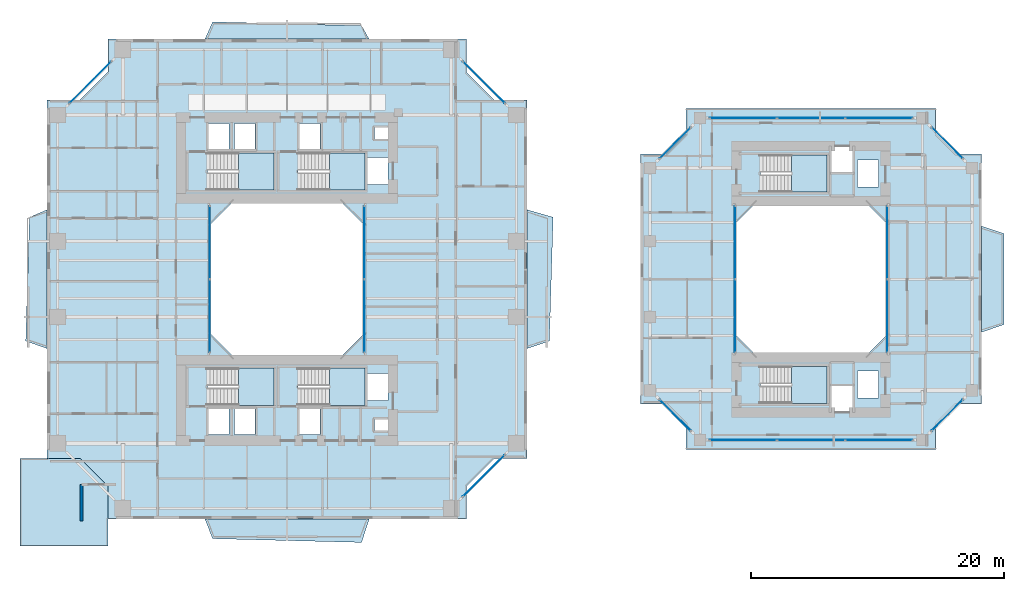
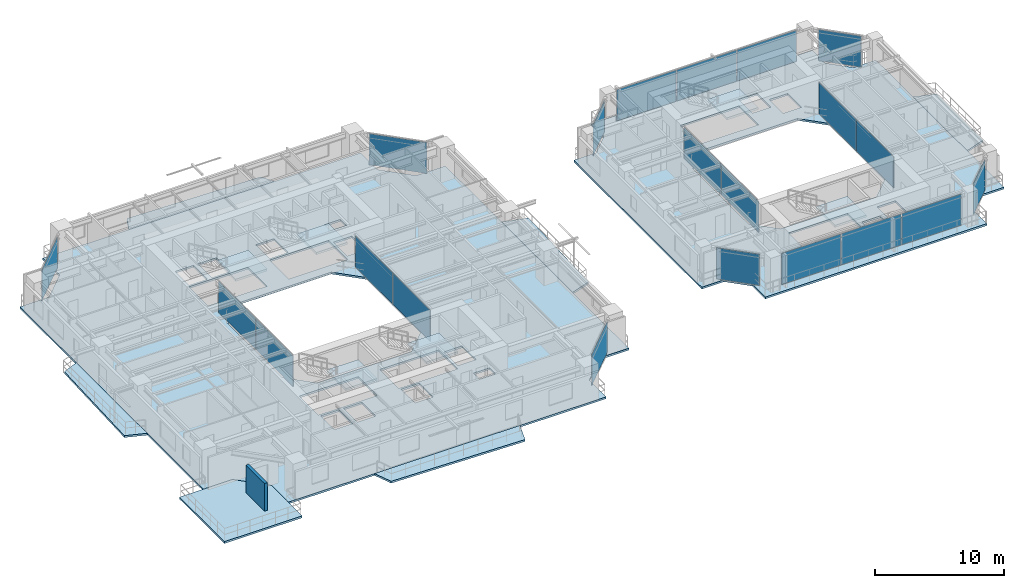
# One storey, part 11 of 24: 21 plates, 14 slabs, 1 wall, 19 elements without a shape of their own.
"""IFC4 building model written with IfcOpenShell, lengths in metres."""

from ifc_helpers import new_model, si_unit, direction, frame, frame_2d, origin, origin_2d, place, context, subcontext, project, spatial, polyline, rectangle, outline, extrude, source, transform, mapped, material, layer, layer_set, type_object, element, aggregate, save


model = new_model("IFC4")

# Units and contexts
model_context = context("Model", 3, precision=1e-05, world=origin(), true_north=direction((0.0, 1.0)))
body_context = subcontext(model_context, "Body", "Model", "MODEL_VIEW")
ifc_project = project(units=[si_unit("LENGTHUNIT", "METRE"), si_unit("AREAUNIT", "SQUARE_METRE"), si_unit("VOLUMEUNIT", "CUBIC_METRE"), si_unit("PLANEANGLEUNIT", "RADIAN"), si_unit("MASSUNIT", "GRAM", prefix="KILO"), si_unit("THERMODYNAMICTEMPERATUREUNIT", "KELVIN"), si_unit("POWERUNIT", "WATT")], contexts=[model_context])

# Site, building, storey
site_placement = place(None, origin())
site = spatial("IfcSite", under=ifc_project, at=site_placement, CompositionType="ELEMENT")
building_placement = place(site_placement, origin())
building = spatial("IfcBuilding", under=site, at=building_placement, Name="Qiaomeng Ring Towers", CompositionType="ELEMENT")
storey_placement = place(building_placement, frame((0.0, 0.0, 63.25)))
storey = spatial("IfcBuildingStorey", under=building, at=storey_placement, Name="L17", CompositionType="ELEMENT", Elevation=63.25)

# Slabs
ifc_material_1 = material(Name="Concrete C40", Category="concrete")
ifc_layer_1 = layer(ifc_material_1, 0.179931640625, Name="Concrete C40")
ifc_layer_set_1 = layer_set([ifc_layer_1], Name="Concrete C40")
slab_type_1 = type_object("IfcSlabType", Name="STR-SL-180", PredefinedType="FLOOR", material=ifc_layer_set_1)
slab_1_placement = place(storey_placement, frame((0.0, 0.0, -0.179931640625)))
element("IfcSlab", 1, at=slab_1_placement, inside=storey, type_object=slab_type_1, Name="L17 Tower 1 Annular Floor Slab", PredefinedType="FLOOR", context=body_context, shape_type="SweptSolid", body=[
    extrude(outline(polyline([(4.800048828125, 4.0), (33.199951171875, 4.0), (33.199951171875, 6.60009765625), (35.39990234375, 8.800048828125), (38.0, 8.800048828125), (38.0, 37.199951171875), (35.39990234375, 37.199951171875), (33.199951171875, 39.39990234375), (33.199951171875, 42.0), (4.800048828125, 42.0), (4.800048828125, 39.39990234375), (2.60009765625, 37.199951171875), (0.0, 37.199951171875), (0.0, 8.800048828125), (2.60009765625, 8.800048828125), (4.800048828125, 6.60009765625), (4.800048828125, 4.0)]), holes=[polyline([(12.780029296875, 10.679931640625), (12.780029296875, 12.820068359375), (14.419921875, 12.820068359375), (14.419921875, 10.679931640625), (12.780029296875, 10.679931640625)]), polyline([(14.830078125, 12.820068359375), (16.469970703125, 12.820068359375), (16.469970703125, 10.679931640625), (14.830078125, 10.679931640625), (14.830078125, 12.820068359375)]), polyline([(12.679931640625, 15.949951171875), (17.949951171875, 15.949951171875), (17.949951171875, 13.010009765625), (12.679931640625, 13.010009765625), (12.679931640625, 15.949951171875)]), polyline([(25.199951171875, 27.199951171875), (25.199951171875, 18.800048828125), (23.199951171875, 16.800048828125), (14.800048828125, 16.800048828125), (12.800048828125, 18.800048828125), (12.800048828125, 27.199951171875), (14.800048828125, 29.199951171875), (23.199951171875, 29.199951171875), (25.199951171875, 27.199951171875)]), polyline([(12.679931640625, 32.989990234375), (17.949951171875, 32.989990234375), (17.949951171875, 30.050048828125), (12.679931640625, 30.050048828125), (12.679931640625, 32.989990234375)]), polyline([(12.780029296875, 35.320068359375), (14.419921875, 35.320068359375), (14.419921875, 33.179931640625), (12.780029296875, 33.179931640625), (12.780029296875, 35.320068359375)]), polyline([(14.830078125, 35.320068359375), (16.469970703125, 35.320068359375), (16.469970703125, 33.179931640625), (14.830078125, 33.179931640625), (14.830078125, 35.320068359375)]), polyline([(19.97998046875, 35.320068359375), (21.6201171875, 35.320068359375), (21.6201171875, 33.179931640625), (19.97998046875, 33.179931640625), (19.97998046875, 35.320068359375)]), polyline([(25.919921875, 11.89990234375), (27.360107421875, 11.89990234375), (27.360107421875, 11.0), (25.919921875, 11.0), (25.919921875, 11.89990234375)]), polyline([(19.97998046875, 12.820068359375), (21.6201171875, 12.820068359375), (21.6201171875, 10.679931640625), (19.97998046875, 10.679931640625), (19.97998046875, 12.820068359375)]), polyline([(25.360107421875, 15.52001953125), (27.0, 15.52001953125), (27.0, 13.3798828125), (25.360107421875, 13.3798828125), (25.360107421875, 15.52001953125)]), polyline([(19.8798828125, 15.949951171875), (25.14990234375, 15.949951171875), (25.14990234375, 13.010009765625), (19.8798828125, 13.010009765625), (19.8798828125, 15.949951171875)]), polyline([(19.8798828125, 32.989990234375), (25.14990234375, 32.989990234375), (25.14990234375, 30.050048828125), (19.8798828125, 30.050048828125), (19.8798828125, 32.989990234375)]), polyline([(25.360107421875, 32.6201171875), (27.0, 32.6201171875), (27.0, 30.47998046875), (25.360107421875, 30.47998046875), (25.360107421875, 32.6201171875)]), polyline([(25.919921875, 35.0), (27.360107421875, 35.0), (27.360107421875, 34.10009765625), (25.919921875, 34.10009765625), (25.919921875, 35.0)])]), origin(), (0.0, 0.0, 1.0), 0.179931640625),
])
slab_2_placement = place(storey_placement, frame((0.0, 0.0, -0.179931640625)))
element("IfcSlab", 2, at=slab_2_placement, inside=storey, type_object=slab_type_1, Name="L17 Companion Tower 2 Annular Floor Slab", PredefinedType="FLOOR", context=body_context, shape_type="SweptSolid", body=[
    extrude(outline(polyline([(50.60009765625, 9.5), (70.39990234375, 9.5), (70.39990234375, 11.5), (72.0, 13.10009765625), (74.0, 13.10009765625), (74.0, 32.89990234375), (72.0, 32.89990234375), (70.39990234375, 34.5), (70.39990234375, 36.5), (50.60009765625, 36.5), (50.60009765625, 34.5), (49.0, 32.89990234375), (47.0, 32.89990234375), (47.0, 13.10009765625), (49.0, 13.10009765625), (50.60009765625, 11.5), (50.60009765625, 9.5)]), holes=[polyline([(62.1298828125, 12.3798828125), (62.1298828125, 14.52001953125), (63.77001953125, 14.52001953125), (63.77001953125, 12.3798828125), (62.1298828125, 12.3798828125)]), polyline([(56.47998046875, 13.159912109375), (56.47998046875, 16.10009765625), (61.75, 16.10009765625), (61.75, 13.159912109375), (56.47998046875, 13.159912109375)]), polyline([(64.179931640625, 13.580078125), (64.179931640625, 15.719970703125), (65.820068359375, 15.719970703125), (65.820068359375, 13.580078125), (64.179931640625, 13.580078125)]), polyline([(64.800048828125, 29.10009765625), (66.60009765625, 27.300048828125), (66.60009765625, 18.699951171875), (64.800048828125, 16.89990234375), (56.199951171875, 16.89990234375), (54.39990234375, 18.699951171875), (54.39990234375, 27.300048828125), (56.199951171875, 29.10009765625), (64.800048828125, 29.10009765625)]), polyline([(64.179931640625, 30.280029296875), (64.179931640625, 32.419921875), (65.820068359375, 32.419921875), (65.820068359375, 30.280029296875), (64.179931640625, 30.280029296875)]), polyline([(56.47998046875, 32.840087890625), (61.75, 32.840087890625), (61.75, 29.89990234375), (56.47998046875, 29.89990234375), (56.47998046875, 32.840087890625)]), polyline([(62.1298828125, 33.6201171875), (63.77001953125, 33.6201171875), (63.77001953125, 31.47998046875), (62.1298828125, 31.47998046875), (62.1298828125, 33.6201171875)])]), origin(), (0.0, 0.0, 1.0), 0.179931640625),
])
ifc_layer_2 = layer(ifc_material_1, 0.179931640625, Name="Concrete C40")
ifc_layer_set_2 = layer_set([ifc_layer_2], Name="Concrete C40")
slab_type_2 = type_object("IfcSlabType", Name="STR-SL-BAL", PredefinedType="FLOOR", material=ifc_layer_set_2)
slab_3_placement = place(storey_placement, frame((0.0, 0.0, -0.179931640625)))
element("IfcSlab", 3, at=slab_3_placement, inside=storey, type_object=slab_type_2, Name="L17 Tower 1 S Faceted Balcony Slab", PredefinedType="FLOOR", context=body_context, shape_type="SweptSolid", body=[
    extrude(outline(polyline([(24.89990234375, 2.14990234375), (13.10009765625, 2.449951171875), (12.5, 4.0), (25.5, 4.0), (24.89990234375, 2.14990234375)])), origin(), (0.0, 0.0, 1.0), 0.179931640625),
])
slab_4_placement = place(storey_placement, frame((0.0, 0.0, -0.179931640625)))
element("IfcSlab", 4, at=slab_4_placement, inside=storey, type_object=slab_type_2, Name="L17 Tower 1 E Faceted Balcony Slab", PredefinedType="FLOOR", context=body_context, shape_type="SweptSolid", body=[
    extrude(outline(polyline([(40.070068359375, 27.89990234375), (39.77001953125, 18.10009765625), (38.0, 17.5), (38.0, 28.5), (40.070068359375, 27.89990234375)])), origin(), (0.0, 0.0, 1.0), 0.179931640625),
])
slab_5_placement = place(storey_placement, frame((0.0, 0.0, -0.179931640625)))
element("IfcSlab", 5, at=slab_5_placement, inside=storey, type_object=slab_type_2, Name="L17 Tower 1 N Faceted Balcony Slab", PredefinedType="FLOOR", context=body_context, shape_type="SweptSolid", body=[
    extrude(outline(polyline([(12.5, 42.0), (13.10009765625, 43.3701171875), (24.89990234375, 43.070068359375), (25.5, 42.0), (12.5, 42.0)])), origin(), (0.0, 0.0, 1.0), 0.179931640625),
])
slab_6_placement = place(storey_placement, frame((0.0, 0.0, -0.179931640625)))
element("IfcSlab", 6, at=slab_6_placement, inside=storey, type_object=slab_type_2, Name="L17 Tower 1 W Faceted Balcony Slab", PredefinedType="FLOOR", context=body_context, shape_type="SweptSolid", body=[
    extrude(outline(polyline([(0.0, 17.5), (-1.699951171875, 18.10009765625), (-1.39990234375, 27.89990234375), (0.0, 28.5), (0.0, 17.5)])), origin(), (0.0, 0.0, 1.0), 0.179931640625),
])
slab_7_placement = place(storey_placement, frame((0.0, 0.0, -0.179931640625)))
element("IfcSlab", 7, at=slab_7_placement, inside=storey, type_object=slab_type_2, Name="L17 Companion East Faceted Balcony Slab", PredefinedType="FLOOR", context=body_context, shape_type="SweptSolid", body=[
    extrude(outline(polyline([(75.77001953125, 26.60009765625), (75.77001953125, 19.39990234375), (74.0, 18.800048828125), (74.0, 27.199951171875), (75.77001953125, 26.60009765625)])), origin(), (0.0, 0.0, 1.0), 0.179931640625),
])

# Stair, slab
ifc_material_2 = material(Name="Precast concrete C40", Category="concrete")
stair_type = type_object("IfcStairType", Name="ARC-ST-325", PredefinedType="HALF_TURN_STAIR", material=ifc_material_2)
stair_1_placement = place(storey_placement, origin())
stair_1 = element("IfcStair", 8, at=stair_1_placement, inside=storey, type_object=stair_type, Name="L17 Tower 1 North Stair 1", PredefinedType="HALF_TURN_STAIR")
ifc_layer_3 = layer(ifc_material_1, 0.199951171875, Name="Concrete C40")
ifc_layer_set_3 = layer_set([ifc_layer_3], Name="Concrete C40")
slab_type_3 = type_object("IfcSlabType", Name="STR-SL-LANDING", PredefinedType="LANDING", material=ifc_layer_set_3)
slab_8_placement = place(storey_placement, frame((0.0, 0.0, 1.425048828125)))
slab_8 = element("IfcSlab", 9, at=slab_8_placement, type_object=slab_type_3, Name="ST1 landing 1", PredefinedType="LANDING", context=body_context, shape_type="SweptSolid", body=[
    extrude(outline(polyline([(15.139892578125, 30.050048828125), (17.949951171875, 30.050048828125), (17.949951171875, 32.989990234375), (15.139892578125, 32.989990234375), (15.139892578125, 30.050048828125)])), origin(), (0.0, 0.0, 1.0), 0.199951171875),
])
aggregate(stair_1, [slab_8])

stair_2_placement = place(storey_placement, origin())
stair_2 = element("IfcStair", 10, at=stair_2_placement, inside=storey, type_object=stair_type, Name="L17 Tower 1 North Stair 2", PredefinedType="HALF_TURN_STAIR")
slab_9_placement = place(storey_placement, frame((0.0, 0.0, 1.425048828125)))
slab_9 = element("IfcSlab", 11, at=slab_9_placement, type_object=slab_type_3, Name="ST2 landing 1", PredefinedType="LANDING", context=body_context, shape_type="SweptSolid", body=[
    extrude(outline(polyline([(22.340087890625, 30.050048828125), (25.14990234375, 30.050048828125), (25.14990234375, 32.989990234375), (22.340087890625, 32.989990234375), (22.340087890625, 30.050048828125)])), origin(), (0.0, 0.0, 1.0), 0.199951171875),
])
aggregate(stair_2, [slab_9])

stair_3_placement = place(storey_placement, origin())
stair_3 = element("IfcStair", 12, at=stair_3_placement, inside=storey, type_object=stair_type, Name="L17 Tower 1 South Stair 3", PredefinedType="HALF_TURN_STAIR")
slab_10_placement = place(storey_placement, frame((0.0, 0.0, 1.425048828125)))
slab_10 = element("IfcSlab", 13, at=slab_10_placement, type_object=slab_type_3, Name="ST3 landing 1", PredefinedType="LANDING", context=body_context, shape_type="SweptSolid", body=[
    extrude(outline(polyline([(15.139892578125, 13.010009765625), (17.949951171875, 13.010009765625), (17.949951171875, 15.949951171875), (15.139892578125, 15.949951171875), (15.139892578125, 13.010009765625)])), origin(), (0.0, 0.0, 1.0), 0.199951171875),
])
aggregate(stair_3, [slab_10])

stair_4_placement = place(storey_placement, origin())
stair_4 = element("IfcStair", 14, at=stair_4_placement, inside=storey, type_object=stair_type, Name="L17 Tower 1 South Stair 4", PredefinedType="HALF_TURN_STAIR")
slab_11_placement = place(storey_placement, frame((0.0, 0.0, 1.425048828125)))
slab_11 = element("IfcSlab", 15, at=slab_11_placement, type_object=slab_type_3, Name="ST4 landing 1", PredefinedType="LANDING", context=body_context, shape_type="SweptSolid", body=[
    extrude(outline(polyline([(22.340087890625, 13.010009765625), (25.14990234375, 13.010009765625), (25.14990234375, 15.949951171875), (22.340087890625, 15.949951171875), (22.340087890625, 13.010009765625)])), origin(), (0.0, 0.0, 1.0), 0.199951171875),
])
aggregate(stair_4, [slab_11])

stair_5_placement = place(storey_placement, origin())
stair_5 = element("IfcStair", 16, at=stair_5_placement, inside=storey, type_object=stair_type, Name="L17 Companion North Stair 5", PredefinedType="HALF_TURN_STAIR")
slab_12_placement = place(storey_placement, frame((0.0, 0.0, 1.425048828125)))
slab_12 = element("IfcSlab", 17, at=slab_12_placement, type_object=slab_type_3, Name="ST5 landing 1", PredefinedType="LANDING", context=body_context, shape_type="SweptSolid", body=[
    extrude(outline(polyline([(58.93994140625, 29.89990234375), (61.75, 29.89990234375), (61.75, 32.840087890625), (58.93994140625, 32.840087890625), (58.93994140625, 29.89990234375)])), origin(), (0.0, 0.0, 1.0), 0.199951171875),
])
aggregate(stair_5, [slab_12])

stair_6_placement = place(storey_placement, origin())
stair_6 = element("IfcStair", 18, at=stair_6_placement, inside=storey, type_object=stair_type, Name="L17 Companion South Stair 6", PredefinedType="HALF_TURN_STAIR")
slab_13_placement = place(storey_placement, frame((0.0, 0.0, 1.425048828125)))
slab_13 = element("IfcSlab", 19, at=slab_13_placement, type_object=slab_type_3, Name="ST6 landing 1", PredefinedType="LANDING", context=body_context, shape_type="SweptSolid", body=[
    extrude(outline(polyline([(58.93994140625, 13.159912109375), (61.75, 13.159912109375), (61.75, 16.10009765625), (58.93994140625, 16.10009765625), (58.93994140625, 13.159912109375)])), origin(), (0.0, 0.0, 1.0), 0.199951171875),
])
aggregate(stair_6, [slab_13])

# Slab
ifc_layer_4 = layer(ifc_material_1, 0.179931640625, Name="Concrete C40")
ifc_layer_set_4 = layer_set([ifc_layer_4], Name="Concrete C40")
slab_type_4 = type_object("IfcSlabType", Name="STR-SL-TERR180", PredefinedType="FLOOR", material=ifc_layer_set_4)
slab_14_placement = place(storey_placement, frame((0.0, 0.0, -0.179931640625)))
element("IfcSlab", 20, at=slab_14_placement, inside=storey, type_object=slab_type_4, Name="L17 Spiralling Corner Sky Terrace SW", PredefinedType="FLOOR", context=body_context, shape_type="SweptSolid", body=[
    extrude(outline(polyline([(4.800048828125, 1.85009765625), (-2.14990234375, 1.85009765625), (-2.14990234375, 8.800048828125), (0.0, 8.800048828125), (2.60009765625, 8.800048828125), (4.800048828125, 6.60009765625), (4.800048828125, 4.0), (4.800048828125, 1.85009765625)])), origin(), (0.0, 0.0, 1.0), 0.179931640625),
])

# Curtain wall, plates
ifc_material_3 = material(Name="Fluorocarbon dark-grey aluminium", Category="aluminium")
ifc_layer_5 = layer(ifc_material_3, 0.139892578125, Name="Fluorocarbon dark-grey aluminium")
ifc_layer_set_5 = layer_set([ifc_layer_5], Name="Fluorocarbon dark-grey aluminium")
curtain_wall_type_1 = type_object("IfcCurtainWallType", Name="ARC-CW-4", PredefinedType="NOTDEFINED", material=ifc_layer_set_5)
curtain_wall_1_placement = place(storey_placement, origin())
curtain_wall_1 = element("IfcCurtainWall", 21, at=curtain_wall_1_placement, inside=storey, type_object=curtain_wall_type_1, Name="L17 Curtain Wall CW4", PredefinedType="NOTDEFINED")
ifc_material_4 = material(Name="Low-E dark-grey laminated double glazing", Category="glass")
ifc_layer_6 = layer(ifc_material_4, 0.028076171875, Name="Low-E dark-grey laminated double glazing")
ifc_layer_set_6 = layer_set([ifc_layer_6], Name="Low-E dark-grey laminated double glazing")
plate_type = type_object("IfcPlateType", Name="ARC-CWP-DARK", PredefinedType="CURTAIN_PANEL", material=ifc_layer_set_6)
shared_shape_1 = source(origin(), body_context, "Body", "SweptSolid", [
    extrude(rectangle(XDim=5.75244140625, YDim=0.028076171875, at=origin_2d()), origin(), (0.0, 0.0, 1.0), 2.93994140625),
])
plate_1_placement = place(storey_placement, frame((12.8798828125, 20.09130859375, 0.06494140625), z_axis=(0.0, 0.0, 1.0), x_axis=(0.0, 1.0, 0.0)))
plate_1 = element("IfcPlate", 22, at=plate_1_placement, type_object=plate_type, Name="CW4 panel 1.1", PredefinedType="CURTAIN_PANEL", context=body_context, shape_type="MappedRepresentation", body=[
    mapped(shared_shape_1, transform((0.0, 0.0, 0.0), x_axis=(1.0, 0.0, 0.0), y_axis=(0.0, 1.0, 0.0), z_axis=(0.0, 0.0, 1.0), scale=1.0)),
])
plate_2_placement = place(storey_placement, frame((12.8798828125, 25.90869140625, 0.06494140625), z_axis=(0.0, 0.0, 1.0), x_axis=(0.0, 1.0, 0.0)))
plate_2 = element("IfcPlate", 23, at=plate_2_placement, type_object=plate_type, Name="CW4 panel 2.1", PredefinedType="CURTAIN_PANEL", context=body_context, shape_type="MappedRepresentation", body=[
    mapped(shared_shape_1, transform((0.0, 0.0, 0.0), x_axis=(1.0, 0.0, 0.0), y_axis=(0.0, 1.0, 0.0), z_axis=(0.0, 0.0, 1.0), scale=1.0)),
])
aggregate(curtain_wall_1, [plate_1, plate_2])

curtain_wall_2_placement = place(storey_placement, origin())
curtain_wall_2 = element("IfcCurtainWall", 24, at=curtain_wall_2_placement, inside=storey, type_object=curtain_wall_type_1, Name="L17 Curtain Wall CW4", PredefinedType="NOTDEFINED")
plate_3_placement = place(storey_placement, frame((25.1201171875, 20.09130859375, 0.06494140625), z_axis=(0.0, 0.0, 1.0), x_axis=(0.0, 1.0, 0.0)))
plate_3 = element("IfcPlate", 25, at=plate_3_placement, type_object=plate_type, Name="CW4 panel 1.1", PredefinedType="CURTAIN_PANEL", context=body_context, shape_type="MappedRepresentation", body=[
    mapped(shared_shape_1, transform((0.0, 0.0, 0.0), x_axis=(1.0, 0.0, 0.0), y_axis=(0.0, 1.0, 0.0), z_axis=(0.0, 0.0, 1.0), scale=1.0)),
])
plate_4_placement = place(storey_placement, frame((25.1201171875, 25.90869140625, 0.06494140625), z_axis=(0.0, 0.0, 1.0), x_axis=(0.0, 1.0, 0.0)))
plate_4 = element("IfcPlate", 26, at=plate_4_placement, type_object=plate_type, Name="CW4 panel 2.1", PredefinedType="CURTAIN_PANEL", context=body_context, shape_type="MappedRepresentation", body=[
    mapped(shared_shape_1, transform((0.0, 0.0, 0.0), x_axis=(1.0, 0.0, 0.0), y_axis=(0.0, 1.0, 0.0), z_axis=(0.0, 0.0, 1.0), scale=1.0)),
])
aggregate(curtain_wall_2, [plate_3, plate_4])

curtain_wall_3_placement = place(storey_placement, origin())
curtain_wall_3 = element("IfcCurtainWall", 27, at=curtain_wall_3_placement, inside=storey, type_object=curtain_wall_type_1, Name="L17 Curtain Wall CW4", PredefinedType="NOTDEFINED")
plate_5_placement = place(storey_placement, frame((54.47998046875, 20.09130859375, 0.06494140625), z_axis=(0.0, 0.0, 1.0), x_axis=(0.0, 1.0, 0.0)))
plate_5 = element("IfcPlate", 28, at=plate_5_placement, type_object=plate_type, Name="CW4 panel 1.1", PredefinedType="CURTAIN_PANEL", context=body_context, shape_type="MappedRepresentation", body=[
    mapped(shared_shape_1, transform((0.0, 0.0, 0.0), x_axis=(1.0, 0.0, 0.0), y_axis=(0.0, 1.0, 0.0), z_axis=(0.0, 0.0, 1.0), scale=1.0)),
])
plate_6_placement = place(storey_placement, frame((54.47998046875, 25.90869140625, 0.06494140625), z_axis=(0.0, 0.0, 1.0), x_axis=(0.0, 1.0, 0.0)))
plate_6 = element("IfcPlate", 29, at=plate_6_placement, type_object=plate_type, Name="CW4 panel 2.1", PredefinedType="CURTAIN_PANEL", context=body_context, shape_type="MappedRepresentation", body=[
    mapped(shared_shape_1, transform((0.0, 0.0, 0.0), x_axis=(1.0, 0.0, 0.0), y_axis=(0.0, 1.0, 0.0), z_axis=(0.0, 0.0, 1.0), scale=1.0)),
])
aggregate(curtain_wall_3, [plate_5, plate_6])

curtain_wall_4_placement = place(storey_placement, origin())
curtain_wall_4 = element("IfcCurtainWall", 30, at=curtain_wall_4_placement, inside=storey, type_object=curtain_wall_type_1, Name="L17 Curtain Wall CW4", PredefinedType="NOTDEFINED")
plate_7_placement = place(storey_placement, frame((66.52001953125, 20.09130859375, 0.06494140625), z_axis=(0.0, 0.0, 1.0), x_axis=(0.0, 1.0, 0.0)))
plate_7 = element("IfcPlate", 31, at=plate_7_placement, type_object=plate_type, Name="CW4 panel 1.1", PredefinedType="CURTAIN_PANEL", context=body_context, shape_type="MappedRepresentation", body=[
    mapped(shared_shape_1, transform((0.0, 0.0, 0.0), x_axis=(1.0, 0.0, 0.0), y_axis=(0.0, 1.0, 0.0), z_axis=(0.0, 0.0, 1.0), scale=1.0)),
])
plate_8_placement = place(storey_placement, frame((66.52001953125, 25.90869140625, 0.06494140625), z_axis=(0.0, 0.0, 1.0), x_axis=(0.0, 1.0, 0.0)))
plate_8 = element("IfcPlate", 32, at=plate_8_placement, type_object=plate_type, Name="CW4 panel 2.1", PredefinedType="CURTAIN_PANEL", context=body_context, shape_type="MappedRepresentation", body=[
    mapped(shared_shape_1, transform((0.0, 0.0, 0.0), x_axis=(1.0, 0.0, 0.0), y_axis=(0.0, 1.0, 0.0), z_axis=(0.0, 0.0, 1.0), scale=1.0)),
])
aggregate(curtain_wall_4, [plate_7, plate_8])

# Curtain wall, plate
ifc_layer_7 = layer(ifc_material_3, 0.159912109375, Name="Fluorocarbon dark-grey aluminium")
ifc_layer_set_7 = layer_set([ifc_layer_7], Name="Fluorocarbon dark-grey aluminium")
curtain_wall_type_2 = type_object("IfcCurtainWallType", Name="ARC-CW-2", PredefinedType="NOTDEFINED", material=ifc_layer_set_7)
curtain_wall_5_placement = place(storey_placement, origin())
curtain_wall_5 = element("IfcCurtainWall", 33, at=curtain_wall_5_placement, inside=storey, type_object=curtain_wall_type_2, Name="L17 Curtain Wall CW2", PredefinedType="NOTDEFINED")
shared_shape_2 = source(origin(), body_context, "Body", "SweptSolid", [
    extrude(rectangle(XDim=4.6259765625, YDim=0.028076171875, at=origin_2d()), origin(), (0.0, 0.0, 1.0), 2.93994140625),
])
plate_9_placement = place(storey_placement, frame((34.574951171875, 7.425048828125, 0.06494140625), z_axis=(0.0, 0.0, 1.0), x_axis=(0.707106781187, 0.707106781187, 0.0)))
plate_9 = element("IfcPlate", 34, at=plate_9_placement, type_object=plate_type, Name="CW2 panel 1.1", PredefinedType="CURTAIN_PANEL", context=body_context, shape_type="MappedRepresentation", body=[
    mapped(shared_shape_2, transform((0.0, 0.0, 0.0), x_axis=(1.0, 0.0, 0.0), y_axis=(0.0, 1.0, 0.0), z_axis=(0.0, 0.0, 1.0), scale=1.0)),
])
aggregate(curtain_wall_5, [plate_9])

curtain_wall_6_placement = place(storey_placement, origin())
curtain_wall_6 = element("IfcCurtainWall", 35, at=curtain_wall_6_placement, inside=storey, type_object=curtain_wall_type_2, Name="L17 Curtain Wall CW2", PredefinedType="NOTDEFINED")
plate_10_placement = place(storey_placement, frame((34.574951171875, 38.574951171875, 0.06494140625), z_axis=(0.0, 0.0, 1.0), x_axis=(-0.707106781187, 0.707106781187, 0.0)))
plate_10 = element("IfcPlate", 36, at=plate_10_placement, type_object=plate_type, Name="CW2 panel 1.1", PredefinedType="CURTAIN_PANEL", context=body_context, shape_type="MappedRepresentation", body=[
    mapped(shared_shape_2, transform((0.0, 0.0, 0.0), x_axis=(1.0, 0.0, 0.0), y_axis=(0.0, 1.0, 0.0), z_axis=(0.0, 0.0, 1.0), scale=1.0)),
])
aggregate(curtain_wall_6, [plate_10])

curtain_wall_7_placement = place(storey_placement, origin())
curtain_wall_7 = element("IfcCurtainWall", 37, at=curtain_wall_7_placement, inside=storey, type_object=curtain_wall_type_2, Name="L17 Curtain Wall CW2", PredefinedType="NOTDEFINED")
plate_11_placement = place(storey_placement, frame((3.425048828125, 38.574951171875, 0.06494140625), z_axis=(0.0, 0.0, 1.0), x_axis=(-0.707106781187, -0.707106781187, 0.0)))
plate_11 = element("IfcPlate", 38, at=plate_11_placement, type_object=plate_type, Name="CW2 panel 1.1", PredefinedType="CURTAIN_PANEL", context=body_context, shape_type="MappedRepresentation", body=[
    mapped(shared_shape_2, transform((0.0, 0.0, 0.0), x_axis=(1.0, 0.0, 0.0), y_axis=(0.0, 1.0, 0.0), z_axis=(0.0, 0.0, 1.0), scale=1.0)),
])
aggregate(curtain_wall_7, [plate_11])

# Curtain wall, plates
ifc_layer_8 = layer(ifc_material_3, 0.14990234375, Name="Fluorocarbon dark-grey aluminium")
ifc_layer_set_8 = layer_set([ifc_layer_8], Name="Fluorocarbon dark-grey aluminium")
curtain_wall_type_3 = type_object("IfcCurtainWallType", Name="ARC-CW-5", PredefinedType="NOTDEFINED", material=ifc_layer_set_8)
curtain_wall_8_placement = place(storey_placement, origin())
curtain_wall_8 = element("IfcCurtainWall", 39, at=curtain_wall_8_placement, inside=storey, type_object=curtain_wall_type_3, Name="L17 Curtain Wall CW5", PredefinedType="NOTDEFINED")
shared_shape_3 = source(origin(), body_context, "Body", "SweptSolid", [
    extrude(rectangle(XDim=5.284912109375, YDim=0.028076171875, at=origin_2d()), origin(), (0.0, 0.0, 1.0), 2.93994140625),
])
plate_12_placement = place(storey_placement, frame((55.12744140625, 35.75, 0.06494140625), z_axis=(0.0, 0.0, 1.0), x_axis=(1.0, 0.0, 0.0)))
plate_12 = element("IfcPlate", 40, at=plate_12_placement, type_object=plate_type, Name="CW5 panel 1.1", PredefinedType="CURTAIN_PANEL", context=body_context, shape_type="MappedRepresentation", body=[
    mapped(shared_shape_3, transform((0.0, 0.0, 0.0), x_axis=(1.0, 0.0, 0.0), y_axis=(0.0, 1.0, 0.0), z_axis=(0.0, 0.0, 1.0), scale=1.0)),
])
plate_13_placement = place(storey_placement, frame((65.87255859375, 35.75, 0.06494140625), z_axis=(0.0, 0.0, 1.0), x_axis=(1.0, 0.0, 0.0)))
plate_13 = element("IfcPlate", 41, at=plate_13_placement, type_object=plate_type, Name="CW5 panel 3.1", PredefinedType="CURTAIN_PANEL", context=body_context, shape_type="MappedRepresentation", body=[
    mapped(shared_shape_3, transform((0.0, 0.0, 0.0), x_axis=(1.0, 0.0, 0.0), y_axis=(0.0, 1.0, 0.0), z_axis=(0.0, 0.0, 1.0), scale=1.0)),
])

curtain_wall_9_placement = place(storey_placement, origin())
curtain_wall_9 = element("IfcCurtainWall", 42, at=curtain_wall_9_placement, inside=storey, type_object=curtain_wall_type_3, Name="L17 Curtain Wall CW5", PredefinedType="NOTDEFINED")
plate_14_placement = place(storey_placement, frame((55.12744140625, 10.25, 0.06494140625), z_axis=(0.0, 0.0, 1.0), x_axis=(1.0, 0.0, 0.0)))
plate_14 = element("IfcPlate", 43, at=plate_14_placement, type_object=plate_type, Name="CW5 panel 1.1", PredefinedType="CURTAIN_PANEL", context=body_context, shape_type="MappedRepresentation", body=[
    mapped(shared_shape_3, transform((0.0, 0.0, 0.0), x_axis=(1.0, 0.0, 0.0), y_axis=(0.0, 1.0, 0.0), z_axis=(0.0, 0.0, 1.0), scale=1.0)),
])
plate_15_placement = place(storey_placement, frame((65.87255859375, 10.25, 0.06494140625), z_axis=(0.0, 0.0, 1.0), x_axis=(1.0, 0.0, 0.0)))
plate_15 = element("IfcPlate", 44, at=plate_15_placement, type_object=plate_type, Name="CW5 panel 3.1", PredefinedType="CURTAIN_PANEL", context=body_context, shape_type="MappedRepresentation", body=[
    mapped(shared_shape_3, transform((0.0, 0.0, 0.0), x_axis=(1.0, 0.0, 0.0), y_axis=(0.0, 1.0, 0.0), z_axis=(0.0, 0.0, 1.0), scale=1.0)),
])

# Plate
shared_shape_4 = source(origin(), body_context, "Body", "SweptSolid", [
    extrude(rectangle(XDim=5.320068359375, YDim=0.028076171875, at=origin_2d()), origin(), (0.0, 0.0, 1.0), 2.93994140625),
])
plate_16_placement = place(storey_placement, frame((60.5, 35.75, 0.06494140625), z_axis=(0.0, 0.0, 1.0), x_axis=(1.0, 0.0, 0.0)))
plate_16 = element("IfcPlate", 45, at=plate_16_placement, type_object=plate_type, Name="CW5 panel 2.1", PredefinedType="CURTAIN_PANEL", context=body_context, shape_type="MappedRepresentation", body=[
    mapped(shared_shape_4, transform((0.0, 0.0, 0.0), x_axis=(1.0, 0.0, 0.0), y_axis=(0.0, 1.0, 0.0), z_axis=(0.0, 0.0, 1.0), scale=1.0)),
])

aggregate(curtain_wall_8, [plate_12, plate_16, plate_13])

plate_17_placement = place(storey_placement, frame((60.5, 10.25, 0.06494140625), z_axis=(0.0, 0.0, 1.0), x_axis=(1.0, 0.0, 0.0)))
plate_17 = element("IfcPlate", 46, at=plate_17_placement, type_object=plate_type, Name="CW5 panel 2.1", PredefinedType="CURTAIN_PANEL", context=body_context, shape_type="MappedRepresentation", body=[
    mapped(shared_shape_4, transform((0.0, 0.0, 0.0), x_axis=(1.0, 0.0, 0.0), y_axis=(0.0, 1.0, 0.0), z_axis=(0.0, 0.0, 1.0), scale=1.0)),
])

aggregate(curtain_wall_9, [plate_14, plate_17, plate_15])

# Curtain wall, plate
curtain_wall_10_placement = place(storey_placement, origin())
curtain_wall_10 = element("IfcCurtainWall", 47, at=curtain_wall_10_placement, inside=storey, type_object=curtain_wall_type_3, Name="L17 Curtain Wall CW5", PredefinedType="NOTDEFINED")
shared_shape_5 = source(origin(), body_context, "Body", "SweptSolid", [
    extrude(rectangle(XDim=3.423828125, YDim=0.028076171875, at=origin_2d()), origin(), (0.0, 0.0, 1.0), 2.93994140625),
])
plate_18_placement = place(storey_placement, frame((71.27490234375, 12.22509765625, 0.06494140625), z_axis=(0.0, 0.0, 1.0), x_axis=(0.707106781187, 0.707106781187, 0.0)))
plate_18 = element("IfcPlate", 48, at=plate_18_placement, type_object=plate_type, Name="CW5 panel 1.1", PredefinedType="CURTAIN_PANEL", context=body_context, shape_type="MappedRepresentation", body=[
    mapped(shared_shape_5, transform((0.0, 0.0, 0.0), x_axis=(1.0, 0.0, 0.0), y_axis=(0.0, 1.0, 0.0), z_axis=(0.0, 0.0, 1.0), scale=1.0)),
])
aggregate(curtain_wall_10, [plate_18])

curtain_wall_11_placement = place(storey_placement, origin())
curtain_wall_11 = element("IfcCurtainWall", 49, at=curtain_wall_11_placement, inside=storey, type_object=curtain_wall_type_3, Name="L17 Curtain Wall CW5", PredefinedType="NOTDEFINED")
plate_19_placement = place(storey_placement, frame((71.27490234375, 33.77490234375, 0.06494140625), z_axis=(0.0, 0.0, 1.0), x_axis=(-0.707106781187, 0.707106781187, 0.0)))
plate_19 = element("IfcPlate", 50, at=plate_19_placement, type_object=plate_type, Name="CW5 panel 1.1", PredefinedType="CURTAIN_PANEL", context=body_context, shape_type="MappedRepresentation", body=[
    mapped(shared_shape_5, transform((0.0, 0.0, 0.0), x_axis=(1.0, 0.0, 0.0), y_axis=(0.0, 1.0, 0.0), z_axis=(0.0, 0.0, 1.0), scale=1.0)),
])
aggregate(curtain_wall_11, [plate_19])

curtain_wall_12_placement = place(storey_placement, origin())
curtain_wall_12 = element("IfcCurtainWall", 51, at=curtain_wall_12_placement, inside=storey, type_object=curtain_wall_type_3, Name="L17 Curtain Wall CW5", PredefinedType="NOTDEFINED")
plate_20_placement = place(storey_placement, frame((49.72509765625, 33.77490234375, 0.06494140625), z_axis=(0.0, 0.0, 1.0), x_axis=(-0.707106781187, -0.707106781187, 0.0)))
plate_20 = element("IfcPlate", 52, at=plate_20_placement, type_object=plate_type, Name="CW5 panel 1.1", PredefinedType="CURTAIN_PANEL", context=body_context, shape_type="MappedRepresentation", body=[
    mapped(shared_shape_5, transform((0.0, 0.0, 0.0), x_axis=(1.0, 0.0, 0.0), y_axis=(0.0, 1.0, 0.0), z_axis=(0.0, 0.0, 1.0), scale=1.0)),
])
aggregate(curtain_wall_12, [plate_20])

curtain_wall_13_placement = place(storey_placement, origin())
curtain_wall_13 = element("IfcCurtainWall", 53, at=curtain_wall_13_placement, inside=storey, type_object=curtain_wall_type_3, Name="L17 Curtain Wall CW5", PredefinedType="NOTDEFINED")
plate_21_placement = place(storey_placement, frame((49.72509765625, 12.22509765625, 0.06494140625), z_axis=(0.0, 0.0, 1.0), x_axis=(0.707106781187, -0.707106781187, 0.0)))
plate_21 = element("IfcPlate", 54, at=plate_21_placement, type_object=plate_type, Name="CW5 panel 1.1", PredefinedType="CURTAIN_PANEL", context=body_context, shape_type="MappedRepresentation", body=[
    mapped(shared_shape_5, transform((0.0, 0.0, 0.0), x_axis=(1.0, 0.0, 0.0), y_axis=(0.0, 1.0, 0.0), z_axis=(0.0, 0.0, 1.0), scale=1.0)),
])
aggregate(curtain_wall_13, [plate_21])

# Wall
ifc_layer_9 = layer(ifc_material_2, 0.25, Name="Precast concrete C40")
ifc_layer_set_9 = layer_set([ifc_layer_9], Name="Precast concrete C40")
wall_type = type_object("IfcWallType", Name="ARC-WL-EW1", PredefinedType="STANDARD", material=ifc_layer_set_9)
wall_placement = place(storey_placement, frame((2.72509765625, 3.85009765625, 0.0), z_axis=(0.0, 0.0, 1.0), x_axis=(0.0, 1.0, 0.0)))
element("IfcWall", 55, at=wall_placement, inside=storey, type_object=wall_type, Name="L17 Spiral Terrace Return Wall SW", PredefinedType="STANDARD", context=body_context, shape_type="SweptSolid", body=[
    extrude(rectangle(XDim=2.875, YDim=0.25, at=frame_2d((1.4375, 0.0))), origin(), (0.0, 0.0, 1.0), 2.610107421875),
])

save(model, "model.ifc")
